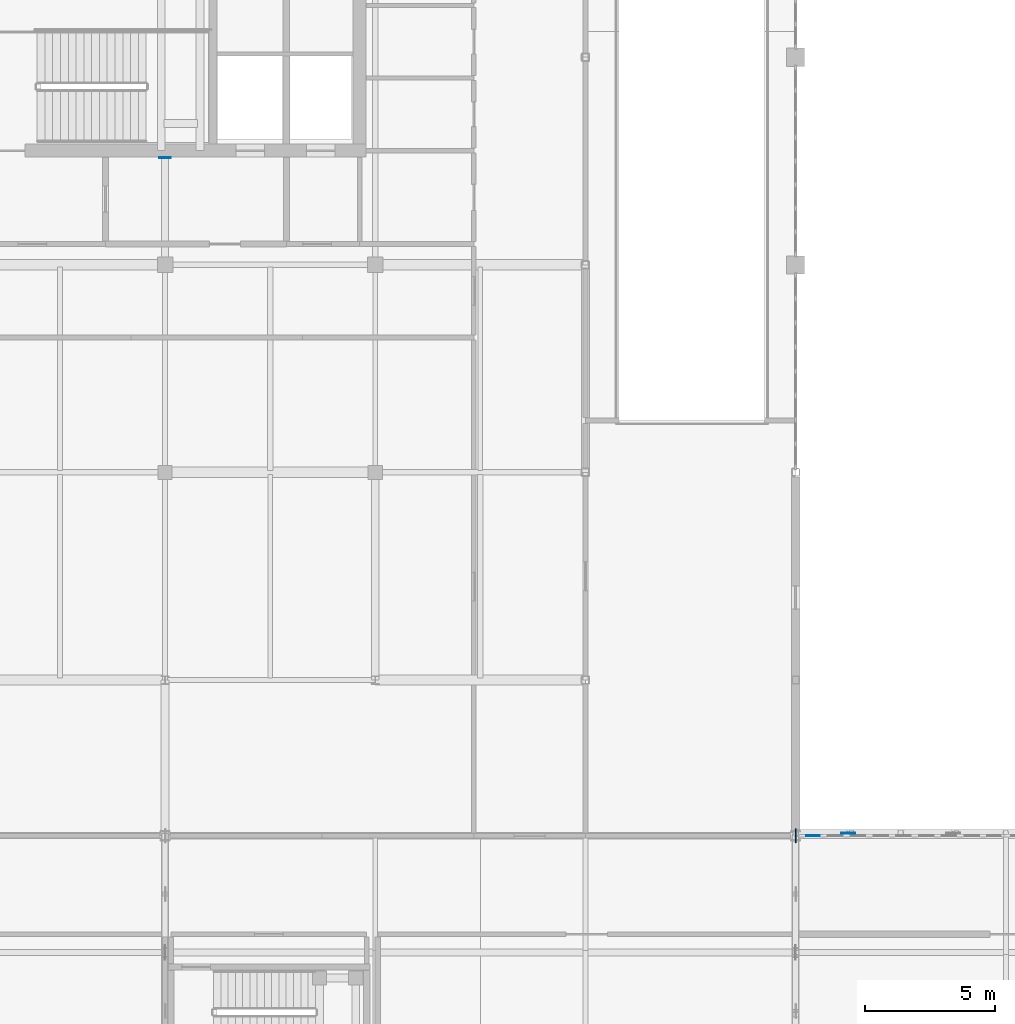
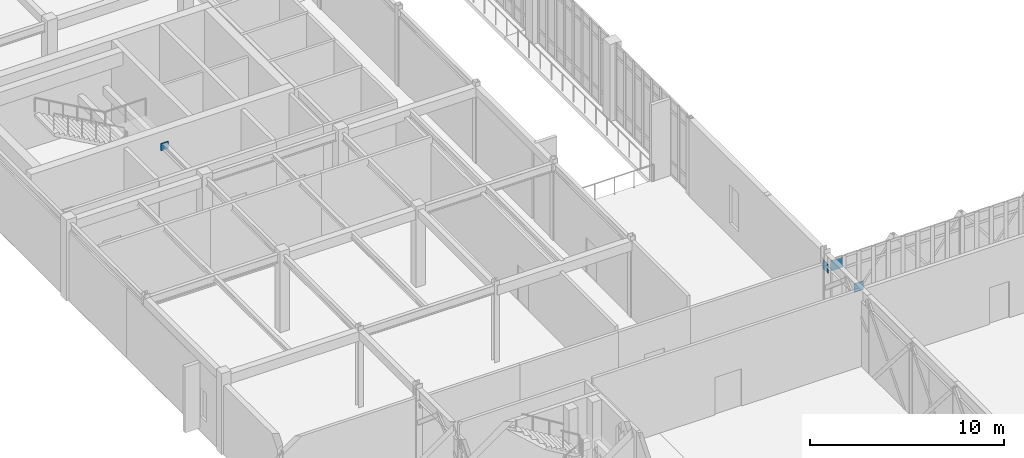
# One storey, part 87 of 107: 4 plates, 1 element without a shape of its own.
"""IFC4 building model written with IfcOpenShell, lengths in metres."""

from ifc_helpers import new_model, si_unit, direction, frame, origin, origin_2d, place, context, subcontext, project, spatial, rectangle, extrude, material, layer, layer_set, type_object, element, aggregate, save


model = new_model("IFC4")

# Units and contexts
model_context = context("Model", 3, precision=1e-05, world=origin(), true_north=direction((0.0, 1.0)))
body_context = subcontext(model_context, "Body", "Model", "MODEL_VIEW")
ifc_project = project(units=[si_unit("LENGTHUNIT", "METRE"), si_unit("AREAUNIT", "SQUARE_METRE"), si_unit("VOLUMEUNIT", "CUBIC_METRE"), si_unit("PLANEANGLEUNIT", "RADIAN"), si_unit("MASSUNIT", "GRAM", prefix="KILO")], contexts=[model_context])

# Site, building, storey
site_placement = place(None, origin())
site = spatial("IfcSite", under=ifc_project, at=site_placement, CompositionType="ELEMENT")
building_placement = place(site_placement, origin())
building = spatial("IfcBuilding", under=site, at=building_placement, Name="Tarnveldt Square Police Headquarters", CompositionType="ELEMENT")
storey_placement = place(building_placement, frame((0.0, 0.0, 14.699951171875)))
storey = spatial("IfcBuildingStorey", under=building, at=storey_placement, Name="L03", CompositionType="ELEMENT", Elevation=14.699951171875)

# Curtain wall, plate
ifc_material_1 = material(Name="UL 752 Level III laminated ballistic vision glass", Category="glass")
curtain_wall_type = type_object("IfcCurtainWallType", Name="CW-BL-790x422", PredefinedType="USERDEFINED", material=ifc_material_1)
curtain_wall_placement = place(storey_placement, origin())
curtain_wall = element("IfcCurtainWall", 1, at=curtain_wall_placement, inside=storey, type_object=curtain_wall_type, Name="L03 Curtain Wall CW-L03-031", ObjectType="BALLISTIC CURTAIN WALL", PredefinedType="USERDEFINED")
ifc_layer_1 = layer(ifc_material_1, 0.0380859375)
ifc_layer_set_1 = layer_set([ifc_layer_1], Name="UL 752 Level III laminated ballistic vision glass")
plate_type_1 = type_object("IfcPlateType", Name="CWP-BAL-38", PredefinedType="CURTAIN_PANEL", material=ifc_layer_set_1)
plate_1_placement = place(storey_placement, frame((49.261962890625, 34.0, 3.5078125), z_axis=(0.0, 0.0, 1.0), x_axis=(1.0, 0.0, 0.0)))
plate_1 = element("IfcPlate", 2, at=plate_1_placement, type_object=plate_type_1, Name="CW-BL14 panel 1.3", PredefinedType="CURTAIN_PANEL", context=body_context, shape_type="SweptSolid", body=[
    extrude(rectangle(XDim=0.75, YDim=0.0380859375, at=origin_2d()), origin(), (0.0, 0.0, 1.0), 0.637451171875),
])
aggregate(curtain_wall, [plate_1])

# Plates
ifc_material_2 = material(Name="Steel 350W", Category="steel")
ifc_layer_2 = layer(ifc_material_2, 0.0380859375)
ifc_layer_set_2 = layer_set([ifc_layer_2], Name="Steel 350W")
plate_type_2 = type_object("IfcPlateType", Name="PLT-END-38", PredefinedType="SHEET", material=ifc_layer_set_2)
plate_2_placement = place(storey_placement, frame((24.300048828125, 60.131103515625, 3.92529296875), z_axis=(0.0, 0.0, 1.0), x_axis=(1.0, 0.0, 0.0)))
element("IfcPlate", 3, at=plate_2_placement, inside=storey, type_object=plate_type_2, Name="Core K1 Shear Wall CW2 Bolted Truss Anchor End Plate EP1 L03.1", PredefinedType="SHEET", context=body_context, shape_type="SweptSolid", body=[
    extrude(rectangle(XDim=0.449951171875, YDim=0.0380859375, at=origin_2d()), origin(), (0.0, 0.0, 1.0), 0.449951171875),
])
ifc_layer_3 = layer(ifc_material_2, 0.031982421875)
ifc_layer_set_3 = layer_set([ifc_layer_3], Name="Steel 350W")
plate_type_3 = type_object("IfcPlateType", Name="PLT-GUS-32", PredefinedType="SHEET", material=ifc_layer_set_3)
plate_3_placement = place(storey_placement, frame((50.625, 34.10009765625, 1.58203125), z_axis=(0.0, 0.0, 1.0), x_axis=(1.0, 0.0, 0.0)))
element("IfcPlate", 4, at=plate_3_placement, inside=storey, type_object=plate_type_3, Name="Command Lantern N Lattice Crossing Gusset Plate 6.1", PredefinedType="SHEET", context=body_context, shape_type="SweptSolid", body=[
    extrude(rectangle(XDim=0.550048828125, YDim=0.031982421875, at=origin_2d()), origin(), (0.0, 0.0, 1.0), 0.550048828125),
])
ifc_layer_4 = layer(ifc_material_2, 0.0419921875)
ifc_layer_set_4 = layer_set([ifc_layer_4], Name="Steel 350W")
plate_type_4 = type_object("IfcPlateType", Name="PLT-GUS-42", PredefinedType="SHEET", material=ifc_layer_set_4)
plate_4_placement = place(storey_placement, frame((48.60009765625, 34.0, 3.6318359375), z_axis=(0.0, 0.0, 1.0), x_axis=(1.0, 0.0, 0.0)))
element("IfcPlate", 5, at=plate_4_placement, inside=storey, type_object=plate_type_4, Name="Node KN-CT3.1 Gusset Plate", PredefinedType="SHEET", context=body_context, shape_type="SweptSolid", body=[
    extrude(rectangle(XDim=0.0419921875, YDim=0.550048828125, at=origin_2d()), origin(), (0.0, 0.0, 1.0), 0.550048828125),
])

save(model, "model.ifc")
